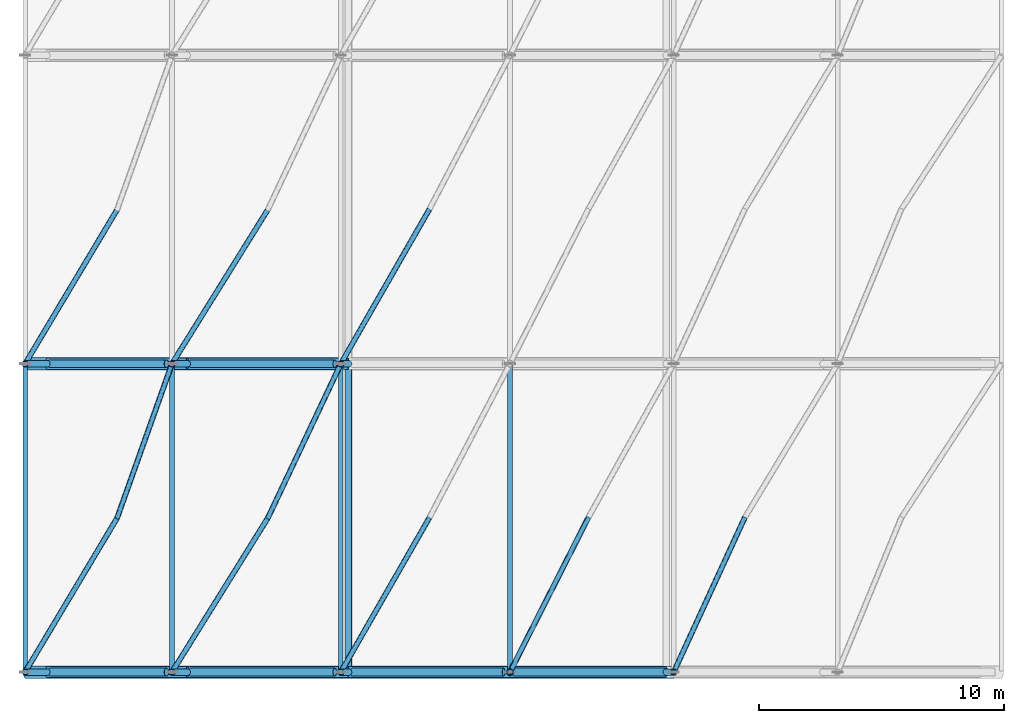
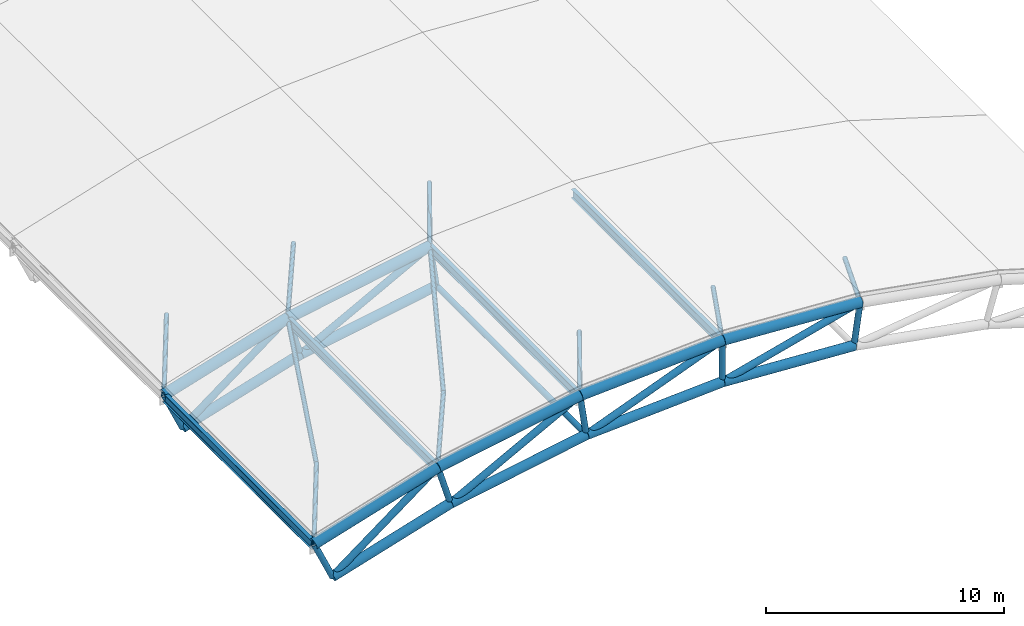
# One storey, part 1 of 18: 41 members.
"""IFC4 building model written with IfcOpenShell, lengths in metres."""

from ifc_helpers import new_model, si_unit, derived_unit, direction, frame, origin, origin_2d, place, context, subcontext, project, spatial, hollow_circle, i_section, extrude, material, material_profile, profile_set, type_object, element, save


model = new_model("IFC4")

# Units and contexts
model_context = context("Model", 3, precision=1e-05, world=origin(), true_north=direction((0.0, 1.0)))
body_context = subcontext(model_context, "Body", "Model", "MODEL_VIEW")
ifc_project = project(units=[si_unit("LENGTHUNIT", "METRE"), si_unit("AREAUNIT", "SQUARE_METRE"), si_unit("VOLUMEUNIT", "CUBIC_METRE"), si_unit("PLANEANGLEUNIT", "RADIAN"), si_unit("MASSUNIT", "GRAM", prefix="KILO"), derived_unit("THERMALTRANSMITTANCEUNIT", [(si_unit("MASSUNIT", "GRAM", prefix="KILO"), 1), (si_unit("TIMEUNIT", "SECOND"), -3), (si_unit("THERMODYNAMICTEMPERATUREUNIT", "KELVIN"), -1)])], contexts=[model_context])

# Site, building, storey
site_placement = place(None, origin())
site = spatial("IfcSite", under=ifc_project, at=site_placement, CompositionType="ELEMENT")
building_placement = place(site_placement, origin())
building = spatial("IfcBuilding", under=site, at=building_placement, Name="Valcora Ridge Arena", CompositionType="ELEMENT")
storey_placement = place(building_placement, frame((0.0, 0.0, 39.800048828125)))
storey = spatial("IfcBuildingStorey", under=building, at=storey_placement, Name="RF", CompositionType="ELEMENT", Elevation=39.800048828125)

# Members
ifc_material_1 = material(Name="Steel ASTM A572 Grade 50", Category="steel")
ifc_material_profile_1 = material_profile(ifc_material_1, i_section(OverallWidth=0.18994140625, OverallDepth=0.45703125, WebThickness=0.009033203125, FlangeThickness=0.014404296875, FilletRadius=0.014892578125, at=origin_2d()), Name="W18X50")
ifc_profile_set_1 = profile_set([ifc_material_profile_1], Name="Steel ASTM A572 Grade 50")
member_type_1 = type_object("IfcMemberType", Name="TY-MEMBER-PUR-W18X50", PredefinedType="PURLIN", material=ifc_profile_set_1)
for number, where, z_axis, x_axis, name in (
    (1, (36.0, 20.050048828125, -2.4501953125), (0.0, 1.0, 0.0), (-1.0, 0.0, 0.0), "PUR-W18X50 SF-PR-PUR-W18X50-0003"),
    (2, (42.0, 20.050048828125, -0.606689453125), (0.0, 1.0, 0.0), (-1.0, 0.0, 0.0), "PUR-W18X50 SF-PR-PUR-W18X50-0004"),
    (3, (48.89990234375, 20.050048828125, 0.662841796875), (0.0, 1.0, 0.0), (-1.0, 0.0, 0.0), "PUR-W18X50 SF-PR-PUR-W18X50-0005"),
    (4, (55.81005859375, 20.050048828125, 1.07958984375), (0.0, 1.0, 0.0), (-1.0, 0.0, 0.0), "PUR-W18X50 SF-PR-PUR-W18X50-0006"),
):
    element("IfcMember", number, at=place(storey_placement, frame(where, z_axis=z_axis, x_axis=x_axis)), inside=storey, type_object=member_type_1, Name=name, PredefinedType="PURLIN", context=body_context, shape_type="SweptSolid", body=[
        extrude(i_section(OverallWidth=0.18994140625, OverallDepth=0.45703125, WebThickness=0.009033203125, FlangeThickness=0.014404296875, FilletRadius=0.014892578125, at=origin_2d()), origin(), (0.0, 0.0, 1.0), 12.5),
    ])
ifc_material_2 = material(Name="Steel ASTM A500 Grade C", Category="steel")
ifc_material_profile_2 = material_profile(ifc_material_2, hollow_circle(Radius=0.228515625, WallThickness=0.01611328125, at=origin_2d()), Name="CHS457X16")
ifc_profile_set_2 = profile_set([ifc_material_profile_2], Name="Steel ASTM A500 Grade C")
member_type_2 = type_object("IfcMemberType", Name="TY-MEMBER-SFBC-457", PredefinedType="CHORD", material=ifc_profile_set_2)
member_1_placement = place(storey_placement, frame((36.895751953125, 20.0, -4.36083984375), z_axis=(0.956190411575, 0.0, 0.292745447124), x_axis=(0.0, 1.0, 0.0)))
element("IfcMember", 5, at=member_1_placement, inside=storey, type_object=member_type_2, Name="SFBC-457 Space Frame Bottom Chord", PredefinedType="CHORD", context=body_context, shape_type="SweptSolid", body=[
    extrude(hollow_circle(Radius=0.228515625, WallThickness=0.01611328125, at=origin_2d()), origin(), (0.0, 0.0, 1.0), 5.9912109375),
])
member_2_placement = place(storey_placement, frame((42.62451171875, 20.0, -2.60693359375), z_axis=(0.983574646762, 0.0, 0.180501840008), x_axis=(0.0, 1.0, 0.0)))
element("IfcMember", 6, at=member_2_placement, inside=storey, type_object=member_type_2, Name="SFBC-457 Space Frame Bottom Chord", PredefinedType="CHORD", context=body_context, shape_type="SweptSolid", body=[
    extrude(hollow_circle(Radius=0.228515625, WallThickness=0.01611328125, at=origin_2d()), origin(), (0.0, 0.0, 1.0), 6.697998046875),
])
member_3_placement = place(storey_placement, frame((49.21240234375, 20.0, -1.39794921875), z_axis=(0.998185892949, 0.0, 0.060207334425), x_axis=(0.0, 1.0, 0.0)))
element("IfcMember", 7, at=member_3_placement, inside=storey, type_object=member_type_2, Name="SFBC-457 Space Frame Bottom Chord", PredefinedType="CHORD", context=body_context, shape_type="SweptSolid", body=[
    extrude(hollow_circle(Radius=0.228515625, WallThickness=0.01611328125, at=origin_2d()), origin(), (0.0, 0.0, 1.0), 6.609619140625),
])
member_4_placement = place(storey_placement, frame((55.81005859375, 20.0, -1.0), z_axis=(0.998298890165, 0.0, -0.058303738263), x_axis=(0.0, 1.0, 0.0)))
element("IfcMember", 8, at=member_4_placement, inside=storey, type_object=member_type_2, Name="SFBC-457 Space Frame Bottom Chord", PredefinedType="CHORD", context=body_context, shape_type="SweptSolid", body=[
    extrude(hollow_circle(Radius=0.228515625, WallThickness=0.01611328125, at=origin_2d()), origin(), (0.0, 0.0, 1.0), 6.3984375),
])
member_5_placement = place(storey_placement, frame((36.895751953125, 32.60009765625, -4.36083984375), z_axis=(0.956190411575, 0.0, 0.292745447124), x_axis=(0.0, 1.0, 0.0)))
element("IfcMember", 9, at=member_5_placement, inside=storey, type_object=member_type_2, Name="SFBC-457 Space Frame Bottom Chord", PredefinedType="CHORD", context=body_context, shape_type="SweptSolid", body=[
    extrude(hollow_circle(Radius=0.228515625, WallThickness=0.01611328125, at=origin_2d()), origin(), (0.0, 0.0, 1.0), 5.9912109375),
])
member_6_placement = place(storey_placement, frame((42.62451171875, 32.60009765625, -2.60693359375), z_axis=(0.983574646762, 0.0, 0.180501840008), x_axis=(0.0, 1.0, 0.0)))
element("IfcMember", 10, at=member_6_placement, inside=storey, type_object=member_type_2, Name="SFBC-457 Space Frame Bottom Chord", PredefinedType="CHORD", context=body_context, shape_type="SweptSolid", body=[
    extrude(hollow_circle(Radius=0.228515625, WallThickness=0.01611328125, at=origin_2d()), origin(), (0.0, 0.0, 1.0), 6.697998046875),
])
ifc_material_profile_3 = material_profile(ifc_material_2, hollow_circle(Radius=0.136474609375, WallThickness=0.012451171875, at=origin_2d()), Name="CHS273X12")
ifc_profile_set_3 = profile_set([ifc_material_profile_3], Name="Steel ASTM A500 Grade C")
member_type_3 = type_object("IfcMemberType", Name="TY-MEMBER-SFBT-273", PredefinedType="STRUT", material=ifc_profile_set_3)
member_7_placement = place(storey_placement, frame((49.21240234375, 20.179931640625, -1.39794921875), z_axis=(0.0, 1.0, 0.0), x_axis=(-1.0, 0.0, 0.0)))
element("IfcMember", 11, at=member_7_placement, inside=storey, type_object=member_type_3, Name="SFBT-273 Space Frame Bottom Strut", PredefinedType="STRUT", context=body_context, shape_type="SweptSolid", body=[
    extrude(hollow_circle(Radius=0.136474609375, WallThickness=0.012451171875, at=origin_2d()), origin(), (0.0, 0.0, 1.0), 12.239990234375),
])
ifc_material_profile_4 = material_profile(ifc_material_2, hollow_circle(Radius=0.136474609375, WallThickness=0.012451171875, at=origin_2d()), Name="CHS273X12")
ifc_profile_set_4 = profile_set([ifc_material_profile_4], Name="Steel ASTM A500 Grade C")
member_type_4 = type_object("IfcMemberType", Name="TY-MEMBER-SFKP-273", PredefinedType="POST", material=ifc_profile_set_4)
member_8_placement = place(storey_placement, frame((36.895751953125, 20.0, -4.36083984375), z_axis=(-0.41033677555, 0.0, 0.911934060462), x_axis=(0.0, -1.0, 0.0)))
element("IfcMember", 12, at=member_8_placement, inside=storey, type_object=member_type_4, Name="SFKP-273 Space Frame King Post", PredefinedType="POST", context=body_context, shape_type="SweptSolid", body=[
    extrude(hollow_circle(Radius=0.136474609375, WallThickness=0.012451171875, at=origin_2d()), origin(), (0.0, 0.0, 1.0), 2.182861328125),
])
member_9_placement = place(storey_placement, frame((42.62451171875, 20.0, -2.60693359375), z_axis=(-0.28833013045, 0.0, 0.957531062616), x_axis=(0.0, -1.0, 0.0)))
element("IfcMember", 13, at=member_9_placement, inside=storey, type_object=member_type_4, Name="SFKP-273 Space Frame King Post", PredefinedType="POST", context=body_context, shape_type="SweptSolid", body=[
    extrude(hollow_circle(Radius=0.136474609375, WallThickness=0.012451171875, at=origin_2d()), origin(), (0.0, 0.0, 1.0), 2.166015625),
])
member_10_placement = place(storey_placement, frame((49.21240234375, 20.0, -1.39794921875), z_axis=(-0.145069807623, 0.0, 0.989421422305), x_axis=(0.0, -1.0, 0.0)))
element("IfcMember", 14, at=member_10_placement, inside=storey, type_object=member_type_4, Name="SFKP-273 Space Frame King Post", PredefinedType="POST", context=body_context, shape_type="SweptSolid", body=[
    extrude(hollow_circle(Radius=0.136474609375, WallThickness=0.012451171875, at=origin_2d()), origin(), (0.0, 0.0, 1.0), 2.154052734375),
])
member_11_placement = place(storey_placement, frame((55.81005859375, 20.0, -1.0), z_axis=(0.0, 0.0, 1.0), x_axis=(1.0, 0.0, 0.0)))
element("IfcMember", 15, at=member_11_placement, inside=storey, type_object=member_type_4, Name="SFKP-273 Space Frame King Post", PredefinedType="POST", context=body_context, shape_type="SweptSolid", body=[
    extrude(hollow_circle(Radius=0.136474609375, WallThickness=0.012451171875, at=origin_2d()), origin(), (0.0, 0.0, 1.0), 2.14990234375),
])
member_12_placement = place(storey_placement, frame((62.197509765625, 20.0, -1.373046875), z_axis=(0.140453193158, 0.0, 0.99008731965), x_axis=(0.0, 1.0, 0.0)))
element("IfcMember", 16, at=member_12_placement, inside=storey, type_object=member_type_4, Name="SFKP-273 Space Frame King Post", PredefinedType="POST", context=body_context, shape_type="SweptSolid", body=[
    extrude(hollow_circle(Radius=0.136474609375, WallThickness=0.012451171875, at=origin_2d()), origin(), (0.0, 0.0, 1.0), 2.153564453125),
])
member_13_placement = place(storey_placement, frame((36.895751953125, 32.60009765625, -4.36083984375), z_axis=(-0.41033677555, 0.0, 0.911934060462), x_axis=(0.0, -1.0, 0.0)))
element("IfcMember", 17, at=member_13_placement, inside=storey, type_object=member_type_4, Name="SFKP-273 Space Frame King Post", PredefinedType="POST", context=body_context, shape_type="SweptSolid", body=[
    extrude(hollow_circle(Radius=0.136474609375, WallThickness=0.012451171875, at=origin_2d()), origin(), (0.0, 0.0, 1.0), 2.182861328125),
])
member_14_placement = place(storey_placement, frame((42.62451171875, 32.60009765625, -2.60693359375), z_axis=(-0.28833013045, 0.0, 0.957531062616), x_axis=(0.0, -1.0, 0.0)))
element("IfcMember", 18, at=member_14_placement, inside=storey, type_object=member_type_4, Name="SFKP-273 Space Frame King Post", PredefinedType="POST", context=body_context, shape_type="SweptSolid", body=[
    extrude(hollow_circle(Radius=0.136474609375, WallThickness=0.012451171875, at=origin_2d()), origin(), (0.0, 0.0, 1.0), 2.166015625),
])
member_15_placement = place(storey_placement, frame((49.21240234375, 32.60009765625, -1.39794921875), z_axis=(-0.145069807623, 0.0, 0.989421422305), x_axis=(0.0, -1.0, 0.0)))
element("IfcMember", 19, at=member_15_placement, inside=storey, type_object=member_type_4, Name="SFKP-273 Space Frame King Post", PredefinedType="POST", context=body_context, shape_type="SweptSolid", body=[
    extrude(hollow_circle(Radius=0.136474609375, WallThickness=0.012451171875, at=origin_2d()), origin(), (0.0, 0.0, 1.0), 2.154052734375),
])
ifc_material_profile_5 = material_profile(ifc_material_2, hollow_circle(Radius=0.109619140625, WallThickness=0.010009765625, at=origin_2d()), Name="CHS219X10")
ifc_profile_set_5 = profile_set([ifc_material_profile_5], Name="Steel ASTM A500 Grade C")
member_type_5 = type_object("IfcMemberType", Name="TY-MEMBER-SFST-219", PredefinedType="STRUT", material=ifc_profile_set_5)
member_16_placement = place(storey_placement, frame((39.760009765625, 26.300048828125, -3.3984375), z_axis=(-0.507527109704, -0.850382252185, 0.138802946956), x_axis=(0.858694396815, -0.512487983156, 0.0)))
element("IfcMember", 20, at=member_16_placement, inside=storey, type_object=member_type_5, Name="SFST-219 Space Frame Tie Strut", PredefinedType="STRUT", context=body_context, shape_type="SweptSolid", body=[
    extrude(hollow_circle(Radius=0.109619140625, WallThickness=0.010009765625, at=origin_2d()), origin(), (0.0, 0.0, 1.0), 7.408447265625),
])
member_17_placement = place(storey_placement, frame((39.760009765625, 26.300048828125, -3.3984375), z_axis=(0.307921307202, 0.866039164288, 0.39390434688), x_axis=(-0.942215970866, 0.335006065983, 0.0)))
element("IfcMember", 21, at=member_17_placement, inside=storey, type_object=member_type_5, Name="SFST-219 Space Frame Tie Strut", PredefinedType="STRUT", context=body_context, shape_type="SweptSolid", body=[
    extrude(hollow_circle(Radius=0.109619140625, WallThickness=0.010009765625, at=origin_2d()), origin(), (0.0, 0.0, 1.0), 7.274658203125),
])
member_18_placement = place(storey_placement, frame((45.91845703125, 26.300048828125, -1.8984375), z_axis=(-0.519425044578, -0.835125437715, 0.18100587379), x_axis=(0.84915171305, -0.528149001916, 0.0)))
element("IfcMember", 22, at=member_18_placement, inside=storey, type_object=member_type_5, Name="SFST-219 Space Frame Tie Strut", PredefinedType="STRUT", context=body_context, shape_type="SweptSolid", body=[
    extrude(hollow_circle(Radius=0.109619140625, WallThickness=0.010009765625, at=origin_2d()), origin(), (0.0, 0.0, 1.0), 7.5439453125),
])
member_19_placement = place(storey_placement, frame((45.91845703125, 26.300048828125, -1.8984375), z_axis=(0.400180692741, 0.845616015082, 0.353254820484), x_axis=(-0.903892552014, 0.427759575478, 0.0)))
element("IfcMember", 23, at=member_19_placement, inside=storey, type_object=member_type_5, Name="SFST-219 Space Frame Tie Strut", PredefinedType="STRUT", context=body_context, shape_type="SweptSolid", body=[
    extrude(hollow_circle(Radius=0.109619140625, WallThickness=0.010009765625, at=origin_2d()), origin(), (0.0, 0.0, 1.0), 7.4501953125),
])
member_20_placement = place(storey_placement, frame((52.51123046875, 26.300048828125, -1.099365234375), z_axis=(-0.48219098451, -0.841193777399, 0.244713880525), x_axis=(0.867572012448, -0.497311575591, 0.0)))
element("IfcMember", 24, at=member_20_placement, inside=storey, type_object=member_type_5, Name="SFST-219 Space Frame Tie Strut", PredefinedType="STRUT", context=body_context, shape_type="SweptSolid", body=[
    extrude(hollow_circle(Radius=0.109619140625, WallThickness=0.010009765625, at=origin_2d()), origin(), (0.0, 0.0, 1.0), 7.489501953125),
])
member_21_placement = place(storey_placement, frame((59.003662109375, 26.300048828125, -1.093017578125), z_axis=(-0.430937331995, -0.850113741466, 0.302654328341), x_axis=(0.891945642305, -0.452142644719, 0.0)))
element("IfcMember", 25, at=member_21_placement, inside=storey, type_object=member_type_5, Name="SFST-219 Space Frame Tie Strut", PredefinedType="STRUT", context=body_context, shape_type="SweptSolid", body=[
    extrude(hollow_circle(Radius=0.109619140625, WallThickness=0.010009765625, at=origin_2d()), origin(), (0.0, 0.0, 1.0), 7.410888671875),
])
member_22_placement = place(storey_placement, frame((65.39599609375, 26.300048828125, -1.843505859375), z_axis=(-0.3910228866, -0.850644544657, 0.351432725851), x_axis=(0.908601375481, -0.417664387365, 0.0)))
element("IfcMember", 26, at=member_22_placement, inside=storey, type_object=member_type_5, Name="SFST-219 Space Frame Tie Strut", PredefinedType="STRUT", context=body_context, shape_type="SweptSolid", body=[
    extrude(hollow_circle(Radius=0.109619140625, WallThickness=0.010009765625, at=origin_2d()), origin(), (0.0, 0.0, 1.0), 7.40625),
])
member_23_placement = place(storey_placement, frame((39.760009765625, 38.89990234375, -3.3984375), z_axis=(-0.507541332782, -0.85037312844, 0.138806836808), x_axis=(0.858685656627, -0.512502627411, 0.0)))
element("IfcMember", 27, at=member_23_placement, inside=storey, type_object=member_type_5, Name="SFST-219 Space Frame Tie Strut", PredefinedType="STRUT", context=body_context, shape_type="SweptSolid", body=[
    extrude(hollow_circle(Radius=0.109619140625, WallThickness=0.010009765625, at=origin_2d()), origin(), (0.0, 0.0, 1.0), 7.408203125),
])
member_24_placement = place(storey_placement, frame((45.91845703125, 38.89990234375, -1.8984375), z_axis=(-0.519439083431, -0.835115645412, 0.181010765958), x_axis=(0.849142533686, -0.528163760102, 0.0)))
element("IfcMember", 28, at=member_24_placement, inside=storey, type_object=member_type_5, Name="SFST-219 Space Frame Tie Strut", PredefinedType="STRUT", context=body_context, shape_type="SweptSolid", body=[
    extrude(hollow_circle(Radius=0.109619140625, WallThickness=0.010009765625, at=origin_2d()), origin(), (0.0, 0.0, 1.0), 7.543701171875),
])
member_25_placement = place(storey_placement, frame((52.51123046875, 38.89990234375, -1.099365234375), z_axis=(-0.482204207108, -0.841184245552, 0.244720591046), x_axis=(0.86756369715, -0.497326081547, 0.0)))
element("IfcMember", 29, at=member_25_placement, inside=storey, type_object=member_type_5, Name="SFST-219 Space Frame Tie Strut", PredefinedType="STRUT", context=body_context, shape_type="SweptSolid", body=[
    extrude(hollow_circle(Radius=0.109619140625, WallThickness=0.010009765625, at=origin_2d()), origin(), (0.0, 0.0, 1.0), 7.4892578125),
])
ifc_material_profile_6 = material_profile(ifc_material_2, hollow_circle(Radius=0.25390625, WallThickness=0.01611328125, at=origin_2d()), Name="CHS508X16")
ifc_profile_set_6 = profile_set([ifc_material_profile_6], Name="Steel ASTM A500 Grade C")
member_type_6 = type_object("IfcMemberType", Name="TY-MEMBER-SFTC-508", PredefinedType="CHORD", material=ifc_profile_set_6)
member_26_placement = place(storey_placement, frame((36.0, 20.0, -2.3701171875), z_axis=(0.956181062975, 0.0, 0.292775980586), x_axis=(0.0, 1.0, 0.0)))
element("IfcMember", 30, at=member_26_placement, inside=storey, type_object=member_type_6, Name="SFTC-508 Space Frame Top Chord", PredefinedType="CHORD", context=body_context, shape_type="SweptSolid", body=[
    extrude(hollow_circle(Radius=0.25390625, WallThickness=0.01611328125, at=origin_2d()), origin(), (0.0, 0.0, 1.0), 6.27490234375),
])
member_27_placement = place(storey_placement, frame((42.0, 20.0, -0.532958984375), z_axis=(0.983571765231, 0.0, 0.180517541089), x_axis=(0.0, 1.0, 0.0)))
element("IfcMember", 31, at=member_27_placement, inside=storey, type_object=member_type_6, Name="SFTC-508 Space Frame Top Chord", PredefinedType="CHORD", context=body_context, shape_type="SweptSolid", body=[
    extrude(hollow_circle(Radius=0.25390625, WallThickness=0.01611328125, at=origin_2d()), origin(), (0.0, 0.0, 1.0), 7.01513671875),
])
member_28_placement = place(storey_placement, frame((48.89990234375, 20.0, 0.7333984375), z_axis=(0.998188446948, 0.0, 0.060164976346), x_axis=(0.0, 1.0, 0.0)))
element("IfcMember", 32, at=member_28_placement, inside=storey, type_object=member_type_6, Name="SFTC-508 Space Frame Top Chord", PredefinedType="CHORD", context=body_context, shape_type="SweptSolid", body=[
    extrude(hollow_circle(Radius=0.25390625, WallThickness=0.01611328125, at=origin_2d()), origin(), (0.0, 0.0, 1.0), 6.922607421875),
])
member_29_placement = place(storey_placement, frame((55.81005859375, 20.0, 1.14990234375), z_axis=(0.998299656479, 0.0, -0.058290615662), x_axis=(0.0, 1.0, 0.0)))
element("IfcMember", 33, at=member_29_placement, inside=storey, type_object=member_type_6, Name="SFTC-508 Space Frame Top Chord", PredefinedType="CHORD", context=body_context, shape_type="SweptSolid", body=[
    extrude(hollow_circle(Radius=0.25390625, WallThickness=0.01611328125, at=origin_2d()), origin(), (0.0, 0.0, 1.0), 6.701416015625),
])
member_30_placement = place(storey_placement, frame((36.0, 32.60009765625, -2.3701171875), z_axis=(0.956181062975, 0.0, 0.292775980586), x_axis=(0.0, 1.0, 0.0)))
element("IfcMember", 34, at=member_30_placement, inside=storey, type_object=member_type_6, Name="SFTC-508 Space Frame Top Chord", PredefinedType="CHORD", context=body_context, shape_type="SweptSolid", body=[
    extrude(hollow_circle(Radius=0.25390625, WallThickness=0.01611328125, at=origin_2d()), origin(), (0.0, 0.0, 1.0), 6.27490234375),
])
member_31_placement = place(storey_placement, frame((42.0, 32.60009765625, -0.532958984375), z_axis=(0.983571765231, 0.0, 0.180517541089), x_axis=(0.0, 1.0, 0.0)))
element("IfcMember", 35, at=member_31_placement, inside=storey, type_object=member_type_6, Name="SFTC-508 Space Frame Top Chord", PredefinedType="CHORD", context=body_context, shape_type="SweptSolid", body=[
    extrude(hollow_circle(Radius=0.25390625, WallThickness=0.01611328125, at=origin_2d()), origin(), (0.0, 0.0, 1.0), 7.01513671875),
])
ifc_material_profile_7 = material_profile(ifc_material_2, hollow_circle(Radius=0.161865234375, WallThickness=0.012451171875, at=origin_2d()), Name="CHS323X12")
ifc_profile_set_7 = profile_set([ifc_material_profile_7], Name="Steel ASTM A500 Grade C")
member_type_7 = type_object("IfcMemberType", Name="TY-MEMBER-SFWB-323", PredefinedType="BRACE", material=ifc_profile_set_7)
member_32_placement = place(storey_placement, frame((37.023681640625, 20.0, -4.264892578125), z_axis=(0.800014795818, 0.0, 0.599980271736), x_axis=(0.0, 1.0, 0.0)))
element("IfcMember", 36, at=member_32_placement, inside=storey, type_object=member_type_7, Name="SFWB-323 Space Frame Diagonal Brace", PredefinedType="BRACE", context=body_context, shape_type="SweptSolid", body=[
    extrude(hollow_circle(Radius=0.161865234375, WallThickness=0.012451171875, at=origin_2d()), origin(), (0.0, 0.0, 1.0), 5.940185546875),
])
member_33_placement = place(storey_placement, frame((42.765625, 20.0, -2.53173828125), z_axis=(0.882744799962, 0.0, 0.469852762193), x_axis=(0.0, 1.0, 0.0)))
element("IfcMember", 37, at=member_33_placement, inside=storey, type_object=member_type_7, Name="SFWB-323 Space Frame Diagonal Brace", PredefinedType="BRACE", context=body_context, shape_type="SweptSolid", body=[
    extrude(hollow_circle(Radius=0.161865234375, WallThickness=0.012451171875, at=origin_2d()), origin(), (0.0, 0.0, 1.0), 6.669189453125),
])
member_34_placement = place(storey_placement, frame((49.36181640625, 20.0, -1.34033203125), z_axis=(0.932850436779, 0.0, 0.360263879124), x_axis=(0.0, 1.0, 0.0)))
element("IfcMember", 38, at=member_34_placement, inside=storey, type_object=member_type_7, Name="SFWB-323 Space Frame Diagonal Brace", PredefinedType="BRACE", context=body_context, shape_type="SweptSolid", body=[
    extrude(hollow_circle(Radius=0.161865234375, WallThickness=0.012451171875, at=origin_2d()), origin(), (0.0, 0.0, 1.0), 6.63232421875),
])
member_35_placement = place(storey_placement, frame((55.964599609375, 20.0, -0.959228515625), z_axis=(0.967117485825, 0.0, 0.254330038751), x_axis=(0.0, 1.0, 0.0)))
element("IfcMember", 39, at=member_35_placement, inside=storey, type_object=member_type_7, Name="SFWB-323 Space Frame Diagonal Brace", PredefinedType="BRACE", context=body_context, shape_type="SweptSolid", body=[
    extrude(hollow_circle(Radius=0.161865234375, WallThickness=0.012451171875, at=origin_2d()), origin(), (0.0, 0.0, 1.0), 6.4775390625),
])
member_36_placement = place(storey_placement, frame((37.023681640625, 32.60009765625, -4.264892578125), z_axis=(0.800014795818, 0.0, 0.599980271736), x_axis=(0.0, 1.0, 0.0)))
element("IfcMember", 40, at=member_36_placement, inside=storey, type_object=member_type_7, Name="SFWB-323 Space Frame Diagonal Brace", PredefinedType="BRACE", context=body_context, shape_type="SweptSolid", body=[
    extrude(hollow_circle(Radius=0.161865234375, WallThickness=0.012451171875, at=origin_2d()), origin(), (0.0, 0.0, 1.0), 5.940185546875),
])
member_37_placement = place(storey_placement, frame((42.765625, 32.60009765625, -2.53173828125), z_axis=(0.882744799962, 0.0, 0.469852762193), x_axis=(0.0, 1.0, 0.0)))
element("IfcMember", 41, at=member_37_placement, inside=storey, type_object=member_type_7, Name="SFWB-323 Space Frame Diagonal Brace", PredefinedType="BRACE", context=body_context, shape_type="SweptSolid", body=[
    extrude(hollow_circle(Radius=0.161865234375, WallThickness=0.012451171875, at=origin_2d()), origin(), (0.0, 0.0, 1.0), 6.669189453125),
])

save(model, "model.ifc")
